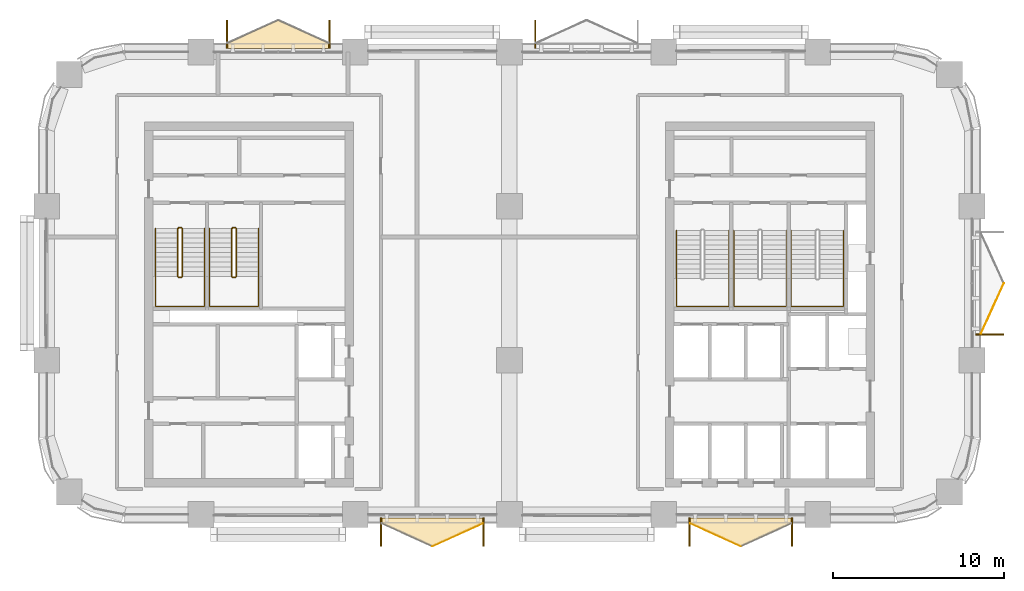
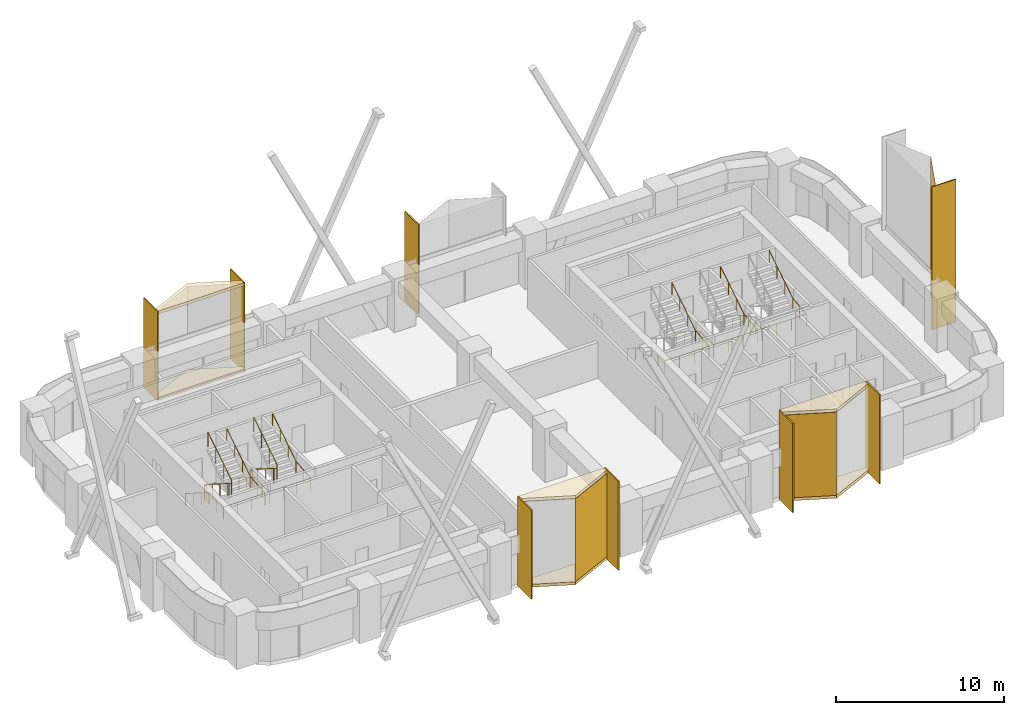
# One storey, part 13 of 14: 17 coverings, 7 railings.
"""IFC4 building model written with IfcOpenShell, lengths in metres."""

from ifc_helpers import new_model, si_unit, direction, frame, origin, origin_2d, place, context, subcontext, project, spatial, polyline, rectangle, circle, outline, extrude, material, layer, layer_set, type_object, element, save


model = new_model("IFC4")

# Units and contexts
model_context = context("Model", 3, precision=1e-05, world=origin(), true_north=direction((0.0, 1.0)))
body_context = subcontext(model_context, "Body", "Model", "MODEL_VIEW")
ifc_project = project(units=[si_unit("LENGTHUNIT", "METRE"), si_unit("AREAUNIT", "SQUARE_METRE"), si_unit("VOLUMEUNIT", "CUBIC_METRE"), si_unit("PLANEANGLEUNIT", "RADIAN"), si_unit("MASSUNIT", "GRAM", prefix="KILO")], contexts=[model_context])

# Site, building, storey
site_placement = place(None, origin())
site = spatial("IfcSite", under=ifc_project, at=site_placement, CompositionType="ELEMENT")
building_placement = place(site_placement, origin())
building = spatial("IfcBuilding", under=site, at=building_placement, Name="Tessera Arch", CompositionType="ELEMENT")
storey_placement = place(building_placement, frame((0.0, 0.0, 181.699951171875)))
storey = spatial("IfcBuildingStorey", under=building, at=storey_placement, Name="L43", CompositionType="ELEMENT", Elevation=181.699951171875)

# Railings
ifc_material_1 = material(Name="Painted steel balustrade", Category="steel")
railing_type_1 = type_object("IfcRailingType", Name="Stair guard 1100", PredefinedType="GUARDRAIL", material=ifc_material_1)
railing_1_placement = place(storey_placement, frame((7.699951171875, 43.75, 0.0)))
element("IfcRailing", 1, at=railing_1_placement, inside=storey, type_object=railing_type_1, Name="L43 S2a stair guard 1", PredefinedType="GUARDRAIL", context=body_context, shape_type="SweptSolid", body=[
    extrude(circle(Radius=0.02392578125, at=origin_2d()), frame((-0.00390625, 0.0, 1.076171875), z_axis=(1.0, 0.0, 0.0), x_axis=(0.0, 1.0, 0.0)), (0.0, 0.0, 1.0), 0.158203125),
    extrude(circle(Radius=0.02392578125, at=origin_2d()), frame((0.153076171875, 0.000732421875, 1.073486328125), z_axis=(-0.735936453418, -0.183984113355, 0.651573006319), x_axis=(0.242535625036, -0.970142500145, 0.0)), (0.0, 0.0, 1.0), 0.280029296875),
    extrude(circle(Radius=0.02392578125, at=origin_2d()), frame((-0.050048828125, -0.046630859375, 1.251220703125), z_axis=(0.0, -0.844908973607, 0.534910110503), x_axis=(1.0, 0.0, 0.0)), (0.0, 0.0, 1.0), 3.322021484375),
    extrude(circle(Radius=0.02392578125, at=origin_2d()), frame((-0.052978515625, -2.84716796875, 3.02587890625), z_axis=(0.708833529934, -0.705375805398, 0.0), x_axis=(0.705375805398, 0.708833529934, 0.0)), (0.0, 0.0, 1.0), 0.07861328125),
    extrude(circle(Radius=0.02392578125, at=origin_2d()), frame((-0.00390625, -2.89990234375, 3.02587890625), z_axis=(1.0, 0.0, 0.0), x_axis=(0.0, 1.0, 0.0)), (0.0, 0.0, 1.0), 0.158203125),
    extrude(circle(Radius=0.02392578125, at=origin_2d()), frame((0.149169921875, -2.90087890625, 3.022216796875), z_axis=(0.26081902908, 0.26081902908, 0.92948742226), x_axis=(-0.707106781187, 0.707106781187, 0.0)), (0.0, 0.0, 1.0), 0.198974609375),
    extrude(circle(Radius=0.02392578125, at=origin_2d()), frame((0.199951171875, -2.853515625, 3.201416015625), z_axis=(0.0, 0.844908973607, 0.534910110503), x_axis=(-1.0, 0.0, 0.0)), (0.0, 0.0, 1.0), 3.322021484375),
    extrude(circle(Radius=0.02099609375, at=origin_2d()), origin(), (0.0, 0.0, 1.0), 1.06396484375),
    extrude(circle(Radius=0.02099609375, at=origin_2d()), frame((0.150146484375, 0.0, 0.0)), (0.0, 0.0, 1.0), 1.06396484375),
    extrude(circle(Radius=0.02099609375, at=origin_2d()), frame((-0.050048828125, -0.050048828125, 0.17724609375)), (0.0, 0.0, 1.0), 1.06396484375),
    extrude(circle(Radius=0.02099609375, at=origin_2d()), frame((-0.050048828125, -0.9833984375, 0.76806640625)), (0.0, 0.0, 1.0), 1.06396484375),
    extrude(circle(Radius=0.02099609375, at=origin_2d()), frame((-0.050048828125, -1.916748046875, 1.359130859375)), (0.0, 0.0, 1.0), 1.06396484375),
    extrude(circle(Radius=0.02099609375, at=origin_2d()), frame((-0.050048828125, -2.85009765625, 1.949951171875)), (0.0, 0.0, 1.0), 1.06396484375),
    extrude(circle(Radius=0.02099609375, at=origin_2d()), frame((0.0, -2.89990234375, 1.949951171875)), (0.0, 0.0, 1.0), 1.06396484375),
    extrude(circle(Radius=0.02099609375, at=origin_2d()), frame((0.150146484375, -2.89990234375, 1.949951171875)), (0.0, 0.0, 1.0), 1.06396484375),
    extrude(circle(Radius=0.02099609375, at=origin_2d()), frame((0.199951171875, -2.85009765625, 2.12744140625)), (0.0, 0.0, 1.0), 1.06396484375),
    extrude(circle(Radius=0.02099609375, at=origin_2d()), frame((0.199951171875, -1.916748046875, 2.71826171875)), (0.0, 0.0, 1.0), 1.06396484375),
    extrude(circle(Radius=0.02099609375, at=origin_2d()), frame((0.199951171875, -0.9833984375, 3.309326171875)), (0.0, 0.0, 1.0), 1.06396484375),
    extrude(circle(Radius=0.02099609375, at=origin_2d()), frame((0.199951171875, -0.050048828125, 3.900146484375)), (0.0, 0.0, 1.0), 1.06396484375),
])
railing_2_placement = place(storey_placement, frame((10.85009765625, 43.75, 0.0)))
element("IfcRailing", 2, at=railing_2_placement, inside=storey, type_object=railing_type_1, Name="L43 S2b stair guard 1", PredefinedType="GUARDRAIL", context=body_context, shape_type="SweptSolid", body=[
    extrude(circle(Radius=0.02392578125, at=origin_2d()), frame((-0.00390625, 0.0, 1.076171875), z_axis=(1.0, 0.0, 0.0), x_axis=(0.0, 1.0, 0.0)), (0.0, 0.0, 1.0), 0.157958984375),
    extrude(circle(Radius=0.02392578125, at=origin_2d()), frame((0.15283203125, 0.000732421875, 1.073486328125), z_axis=(-0.735524641326, -0.184105679453, 0.652003528208), x_axis=(0.242814311512, -0.970072785993, 0.0)), (0.0, 0.0, 1.0), 0.27978515625),
    extrude(circle(Radius=0.02392578125, at=origin_2d()), frame((-0.050048828125, -0.046630859375, 1.251220703125), z_axis=(0.0, -0.844908973607, 0.534910110503), x_axis=(1.0, 0.0, 0.0)), (0.0, 0.0, 1.0), 3.322021484375),
    extrude(circle(Radius=0.02392578125, at=origin_2d()), frame((-0.052978515625, -2.84716796875, 3.02587890625), z_axis=(0.708833529934, -0.705375805398, 0.0), x_axis=(0.705375805398, 0.708833529934, 0.0)), (0.0, 0.0, 1.0), 0.07861328125),
    extrude(circle(Radius=0.02392578125, at=origin_2d()), frame((-0.00390625, -2.89990234375, 3.02587890625), z_axis=(1.0, 0.0, 0.0), x_axis=(0.0, 1.0, 0.0)), (0.0, 0.0, 1.0), 0.157958984375),
    extrude(circle(Radius=0.02392578125, at=origin_2d()), frame((0.14892578125, -2.90087890625, 3.022216796875), z_axis=(0.262009983441, 0.260731885961, 0.929176868105), x_axis=(-0.705375805398, 0.708833529934, 0.0)), (0.0, 0.0, 1.0), 0.198974609375),
    extrude(circle(Radius=0.02392578125, at=origin_2d()), frame((0.199951171875, -2.853515625, 3.201416015625), z_axis=(0.0, 0.844908973607, 0.534910110503), x_axis=(-1.0, 0.0, 0.0)), (0.0, 0.0, 1.0), 3.322021484375),
    extrude(circle(Radius=0.02099609375, at=origin_2d()), origin(), (0.0, 0.0, 1.0), 1.06396484375),
    extrude(circle(Radius=0.02099609375, at=origin_2d()), frame((0.14990234375, 0.0, 0.0)), (0.0, 0.0, 1.0), 1.06396484375),
    extrude(circle(Radius=0.02099609375, at=origin_2d()), frame((-0.050048828125, -0.050048828125, 0.17724609375)), (0.0, 0.0, 1.0), 1.06396484375),
    extrude(circle(Radius=0.02099609375, at=origin_2d()), frame((-0.050048828125, -0.9833984375, 0.76806640625)), (0.0, 0.0, 1.0), 1.06396484375),
    extrude(circle(Radius=0.02099609375, at=origin_2d()), frame((-0.050048828125, -1.916748046875, 1.359130859375)), (0.0, 0.0, 1.0), 1.06396484375),
    extrude(circle(Radius=0.02099609375, at=origin_2d()), frame((-0.050048828125, -2.85009765625, 1.949951171875)), (0.0, 0.0, 1.0), 1.06396484375),
    extrude(circle(Radius=0.02099609375, at=origin_2d()), frame((0.0, -2.89990234375, 1.949951171875)), (0.0, 0.0, 1.0), 1.06396484375),
    extrude(circle(Radius=0.02099609375, at=origin_2d()), frame((0.14990234375, -2.89990234375, 1.949951171875)), (0.0, 0.0, 1.0), 1.06396484375),
    extrude(circle(Radius=0.02099609375, at=origin_2d()), frame((0.199951171875, -2.85009765625, 2.12744140625)), (0.0, 0.0, 1.0), 1.06396484375),
    extrude(circle(Radius=0.02099609375, at=origin_2d()), frame((0.199951171875, -1.916748046875, 2.71826171875)), (0.0, 0.0, 1.0), 1.06396484375),
    extrude(circle(Radius=0.02099609375, at=origin_2d()), frame((0.199951171875, -0.9833984375, 3.309326171875)), (0.0, 0.0, 1.0), 1.06396484375),
    extrude(circle(Radius=0.02099609375, at=origin_2d()), frame((0.199951171875, -0.050048828125, 3.900146484375)), (0.0, 0.0, 1.0), 1.06396484375),
])
ifc_material_2 = material(Name="Painted steel handrail", Category="steel")
railing_type_2 = type_object("IfcRailingType", Name="Stair handrail 900", PredefinedType="HANDRAIL", material=ifc_material_2)
railing_3_placement = place(storey_placement, frame((36.75, 43.580078125, 0.17724609375)))
element("IfcRailing", 3, at=railing_3_placement, inside=storey, type_object=railing_type_2, Name="L43 S1a stair handrail", PredefinedType="HANDRAIL", context=body_context, shape_type="SweptSolid", body=[
    extrude(circle(Radius=0.02392578125, at=origin_2d()), frame((0.0, 0.00341796875, 0.873779296875), z_axis=(0.0, -0.844908973607, 0.534910110503), x_axis=(1.0, 0.0, 0.0)), (0.0, 0.0, 1.0), 3.322021484375),
    extrude(circle(Radius=0.02392578125, at=origin_2d()), frame((0.0, -2.796142578125, 2.6484375), z_axis=(0.0, -1.0, 0.0), x_axis=(1.0, 0.0, 0.0)), (0.0, 0.0, 1.0), 1.63818359375),
    extrude(circle(Radius=0.02392578125, at=origin_2d()), frame((-0.00390625, -4.43017578125, 2.6484375), z_axis=(1.0, 0.0, 0.0), x_axis=(0.0, 1.0, 0.0)), (0.0, 0.0, 1.0), 3.05810546875),
    extrude(circle(Radius=0.02392578125, at=origin_2d()), frame((3.050048828125, -4.43408203125, 2.648193359375), z_axis=(0.0, 0.994124627078, 0.108241516233), x_axis=(-1.0, 0.0, 0.0)), (0.0, 0.0, 1.0), 1.647705078125),
    extrude(circle(Radius=0.02392578125, at=origin_2d()), frame((3.050048828125, -2.803466796875, 2.823974609375), z_axis=(0.0, 0.844908973607, 0.534910110503), x_axis=(-1.0, 0.0, 0.0)), (0.0, 0.0, 1.0), 3.322021484375),
    extrude(circle(Radius=0.02099609375, at=origin_2d()), origin(), (0.0, 0.0, 1.0), 0.86376953125),
    extrude(circle(Radius=0.02099609375, at=origin_2d()), frame((0.0, -0.933349609375, 0.5908203125)), (0.0, 0.0, 1.0), 0.86376953125),
    extrude(circle(Radius=0.02099609375, at=origin_2d()), frame((0.0, -1.86669921875, 1.181884765625)), (0.0, 0.0, 1.0), 0.86376953125),
    extrude(circle(Radius=0.02099609375, at=origin_2d()), frame((0.0, -2.800048828125, 1.772705078125)), (0.0, 0.0, 1.0), 0.86376953125),
    extrude(circle(Radius=0.02099609375, at=origin_2d()), frame((0.0, -3.615234375, 1.772705078125)), (0.0, 0.0, 1.0), 0.86376953125),
    extrude(circle(Radius=0.02099609375, at=origin_2d()), frame((0.0, -4.43017578125, 1.772705078125)), (0.0, 0.0, 1.0), 0.86376953125),
    extrude(circle(Radius=0.02099609375, at=origin_2d()), frame((1.0166015625, -4.43017578125, 1.772705078125)), (0.0, 0.0, 1.0), 0.86376953125),
    extrude(circle(Radius=0.02099609375, at=origin_2d()), frame((2.033447265625, -4.43017578125, 1.772705078125)), (0.0, 0.0, 1.0), 0.86376953125),
    extrude(circle(Radius=0.02099609375, at=origin_2d()), frame((3.050048828125, -4.43017578125, 1.772705078125)), (0.0, 0.0, 1.0), 0.86376953125),
    extrude(circle(Radius=0.02099609375, at=origin_2d()), frame((3.050048828125, -3.615234375, 1.861328125)), (0.0, 0.0, 1.0), 0.86376953125),
    extrude(circle(Radius=0.02099609375, at=origin_2d()), frame((3.050048828125, -2.800048828125, 1.9501953125)), (0.0, 0.0, 1.0), 0.86376953125),
    extrude(circle(Radius=0.02099609375, at=origin_2d()), frame((3.050048828125, -1.86669921875, 2.541015625)), (0.0, 0.0, 1.0), 0.86376953125),
    extrude(circle(Radius=0.02099609375, at=origin_2d()), frame((3.050048828125, -0.933349609375, 3.132080078125)), (0.0, 0.0, 1.0), 0.86376953125),
    extrude(circle(Radius=0.02099609375, at=origin_2d()), frame((3.050048828125, 0.0, 3.722900390625)), (0.0, 0.0, 1.0), 0.86376953125),
])
railing_4_placement = place(storey_placement, frame((40.10009765625, 43.580078125, 0.17724609375)))
element("IfcRailing", 4, at=railing_4_placement, inside=storey, type_object=railing_type_2, Name="L43 S1b stair handrail", PredefinedType="HANDRAIL", context=body_context, shape_type="SweptSolid", body=[
    extrude(circle(Radius=0.02392578125, at=origin_2d()), frame((0.0, 0.00341796875, 0.873779296875), z_axis=(0.0, -0.844908973607, 0.534910110503), x_axis=(1.0, 0.0, 0.0)), (0.0, 0.0, 1.0), 3.322021484375),
    extrude(circle(Radius=0.02392578125, at=origin_2d()), frame((0.0, -2.796142578125, 2.6484375), z_axis=(0.0, -1.0, 0.0), x_axis=(1.0, 0.0, 0.0)), (0.0, 0.0, 1.0), 1.63818359375),
    extrude(circle(Radius=0.02392578125, at=origin_2d()), frame((-0.00390625, -4.43017578125, 2.6484375), z_axis=(1.0, 0.0, 0.0), x_axis=(0.0, 1.0, 0.0)), (0.0, 0.0, 1.0), 3.057861328125),
    extrude(circle(Radius=0.02392578125, at=origin_2d()), frame((3.0498046875, -4.43408203125, 2.648193359375), z_axis=(0.0, 0.994124627078, 0.108241516233), x_axis=(-1.0, 0.0, 0.0)), (0.0, 0.0, 1.0), 1.647705078125),
    extrude(circle(Radius=0.02392578125, at=origin_2d()), frame((3.0498046875, -2.803466796875, 2.823974609375), z_axis=(0.0, 0.844908973607, 0.534910110503), x_axis=(-1.0, 0.0, 0.0)), (0.0, 0.0, 1.0), 3.322021484375),
    extrude(circle(Radius=0.02099609375, at=origin_2d()), origin(), (0.0, 0.0, 1.0), 0.86376953125),
    extrude(circle(Radius=0.02099609375, at=origin_2d()), frame((0.0, -0.933349609375, 0.5908203125)), (0.0, 0.0, 1.0), 0.86376953125),
    extrude(circle(Radius=0.02099609375, at=origin_2d()), frame((0.0, -1.86669921875, 1.181884765625)), (0.0, 0.0, 1.0), 0.86376953125),
    extrude(circle(Radius=0.02099609375, at=origin_2d()), frame((0.0, -2.800048828125, 1.772705078125)), (0.0, 0.0, 1.0), 0.86376953125),
    extrude(circle(Radius=0.02099609375, at=origin_2d()), frame((0.0, -3.615234375, 1.772705078125)), (0.0, 0.0, 1.0), 0.86376953125),
    extrude(circle(Radius=0.02099609375, at=origin_2d()), frame((0.0, -4.43017578125, 1.772705078125)), (0.0, 0.0, 1.0), 0.86376953125),
    extrude(circle(Radius=0.02099609375, at=origin_2d()), frame((1.0166015625, -4.43017578125, 1.772705078125)), (0.0, 0.0, 1.0), 0.86376953125),
    extrude(circle(Radius=0.02099609375, at=origin_2d()), frame((2.033203125, -4.43017578125, 1.772705078125)), (0.0, 0.0, 1.0), 0.86376953125),
    extrude(circle(Radius=0.02099609375, at=origin_2d()), frame((3.0498046875, -4.43017578125, 1.772705078125)), (0.0, 0.0, 1.0), 0.86376953125),
    extrude(circle(Radius=0.02099609375, at=origin_2d()), frame((3.0498046875, -3.615234375, 1.861328125)), (0.0, 0.0, 1.0), 0.86376953125),
    extrude(circle(Radius=0.02099609375, at=origin_2d()), frame((3.0498046875, -2.800048828125, 1.9501953125)), (0.0, 0.0, 1.0), 0.86376953125),
    extrude(circle(Radius=0.02099609375, at=origin_2d()), frame((3.0498046875, -1.86669921875, 2.541015625)), (0.0, 0.0, 1.0), 0.86376953125),
    extrude(circle(Radius=0.02099609375, at=origin_2d()), frame((3.0498046875, -0.933349609375, 3.132080078125)), (0.0, 0.0, 1.0), 0.86376953125),
    extrude(circle(Radius=0.02099609375, at=origin_2d()), frame((3.0498046875, 0.0, 3.722900390625)), (0.0, 0.0, 1.0), 0.86376953125),
])
railing_5_placement = place(storey_placement, frame((43.449951171875, 43.580078125, 0.17724609375)))
element("IfcRailing", 5, at=railing_5_placement, inside=storey, type_object=railing_type_2, Name="L43 S1c stair handrail", PredefinedType="HANDRAIL", context=body_context, shape_type="SweptSolid", body=[
    extrude(circle(Radius=0.02392578125, at=origin_2d()), frame((0.0, 0.00341796875, 0.873779296875), z_axis=(0.0, -0.844908973607, 0.534910110503), x_axis=(1.0, 0.0, 0.0)), (0.0, 0.0, 1.0), 3.322021484375),
    extrude(circle(Radius=0.02392578125, at=origin_2d()), frame((0.0, -2.796142578125, 2.6484375), z_axis=(0.0, -1.0, 0.0), x_axis=(1.0, 0.0, 0.0)), (0.0, 0.0, 1.0), 1.63818359375),
    extrude(circle(Radius=0.02392578125, at=origin_2d()), frame((-0.00390625, -4.43017578125, 2.6484375), z_axis=(1.0, 0.0, 0.0), x_axis=(0.0, 1.0, 0.0)), (0.0, 0.0, 1.0), 3.05810546875),
    extrude(circle(Radius=0.02392578125, at=origin_2d()), frame((3.050048828125, -4.43408203125, 2.648193359375), z_axis=(0.0, 0.994124627078, 0.108241516233), x_axis=(-1.0, 0.0, 0.0)), (0.0, 0.0, 1.0), 1.647705078125),
    extrude(circle(Radius=0.02392578125, at=origin_2d()), frame((3.050048828125, -2.803466796875, 2.823974609375), z_axis=(0.0, 0.844908973607, 0.534910110503), x_axis=(-1.0, 0.0, 0.0)), (0.0, 0.0, 1.0), 3.322021484375),
    extrude(circle(Radius=0.02099609375, at=origin_2d()), origin(), (0.0, 0.0, 1.0), 0.86376953125),
    extrude(circle(Radius=0.02099609375, at=origin_2d()), frame((0.0, -0.933349609375, 0.5908203125)), (0.0, 0.0, 1.0), 0.86376953125),
    extrude(circle(Radius=0.02099609375, at=origin_2d()), frame((0.0, -1.86669921875, 1.181884765625)), (0.0, 0.0, 1.0), 0.86376953125),
    extrude(circle(Radius=0.02099609375, at=origin_2d()), frame((0.0, -2.800048828125, 1.772705078125)), (0.0, 0.0, 1.0), 0.86376953125),
    extrude(circle(Radius=0.02099609375, at=origin_2d()), frame((0.0, -3.615234375, 1.772705078125)), (0.0, 0.0, 1.0), 0.86376953125),
    extrude(circle(Radius=0.02099609375, at=origin_2d()), frame((0.0, -4.43017578125, 1.772705078125)), (0.0, 0.0, 1.0), 0.86376953125),
    extrude(circle(Radius=0.02099609375, at=origin_2d()), frame((1.0166015625, -4.43017578125, 1.772705078125)), (0.0, 0.0, 1.0), 0.86376953125),
    extrude(circle(Radius=0.02099609375, at=origin_2d()), frame((2.033447265625, -4.43017578125, 1.772705078125)), (0.0, 0.0, 1.0), 0.86376953125),
    extrude(circle(Radius=0.02099609375, at=origin_2d()), frame((3.050048828125, -4.43017578125, 1.772705078125)), (0.0, 0.0, 1.0), 0.86376953125),
    extrude(circle(Radius=0.02099609375, at=origin_2d()), frame((3.050048828125, -3.615234375, 1.861328125)), (0.0, 0.0, 1.0), 0.86376953125),
    extrude(circle(Radius=0.02099609375, at=origin_2d()), frame((3.050048828125, -2.800048828125, 1.9501953125)), (0.0, 0.0, 1.0), 0.86376953125),
    extrude(circle(Radius=0.02099609375, at=origin_2d()), frame((3.050048828125, -1.86669921875, 2.541015625)), (0.0, 0.0, 1.0), 0.86376953125),
    extrude(circle(Radius=0.02099609375, at=origin_2d()), frame((3.050048828125, -0.933349609375, 3.132080078125)), (0.0, 0.0, 1.0), 0.86376953125),
    extrude(circle(Radius=0.02099609375, at=origin_2d()), frame((3.050048828125, 0.0, 3.722900390625)), (0.0, 0.0, 1.0), 0.86376953125),
])
railing_6_placement = place(storey_placement, frame((6.35009765625, 43.699951171875, 0.17724609375)))
element("IfcRailing", 6, at=railing_6_placement, inside=storey, type_object=railing_type_2, Name="L43 S2a stair handrail", PredefinedType="HANDRAIL", context=body_context, shape_type="SweptSolid", body=[
    extrude(circle(Radius=0.02392578125, at=origin_2d()), frame((0.0, 0.00341796875, 0.873779296875), z_axis=(0.0, -0.844908973607, 0.534910110503), x_axis=(1.0, 0.0, 0.0)), (0.0, 0.0, 1.0), 3.322021484375),
    extrude(circle(Radius=0.02392578125, at=origin_2d()), frame((0.0, -2.796142578125, 2.6484375), z_axis=(0.0, -1.0, 0.0), x_axis=(1.0, 0.0, 0.0)), (0.0, 0.0, 1.0), 1.758056640625),
    extrude(circle(Radius=0.02392578125, at=origin_2d()), frame((-0.00390625, -4.550048828125, 2.6484375), z_axis=(1.0, 0.0, 0.0), x_axis=(0.0, 1.0, 0.0)), (0.0, 0.0, 1.0), 2.85791015625),
    extrude(circle(Radius=0.02392578125, at=origin_2d()), frame((2.849853515625, -4.553955078125, 2.648193359375), z_axis=(0.0, 0.994896031807, 0.100905331351), x_axis=(-1.0, 0.0, 0.0)), (0.0, 0.0, 1.0), 1.76708984375),
    extrude(circle(Radius=0.02392578125, at=origin_2d()), frame((2.849853515625, -2.803466796875, 2.823974609375), z_axis=(0.0, 0.844908973607, 0.534910110503), x_axis=(-1.0, 0.0, 0.0)), (0.0, 0.0, 1.0), 3.322021484375),
    extrude(circle(Radius=0.02099609375, at=origin_2d()), origin(), (0.0, 0.0, 1.0), 0.86376953125),
    extrude(circle(Radius=0.02099609375, at=origin_2d()), frame((0.0, -0.933349609375, 0.5908203125)), (0.0, 0.0, 1.0), 0.86376953125),
    extrude(circle(Radius=0.02099609375, at=origin_2d()), frame((0.0, -1.86669921875, 1.181884765625)), (0.0, 0.0, 1.0), 0.86376953125),
    extrude(circle(Radius=0.02099609375, at=origin_2d()), frame((0.0, -2.800048828125, 1.772705078125)), (0.0, 0.0, 1.0), 0.86376953125),
    extrude(circle(Radius=0.02099609375, at=origin_2d()), frame((0.0, -3.675048828125, 1.772705078125)), (0.0, 0.0, 1.0), 0.86376953125),
    extrude(circle(Radius=0.02099609375, at=origin_2d()), frame((0.0, -4.550048828125, 1.772705078125)), (0.0, 0.0, 1.0), 0.86376953125),
    extrude(circle(Radius=0.02099609375, at=origin_2d()), frame((0.949951171875, -4.550048828125, 1.772705078125)), (0.0, 0.0, 1.0), 0.86376953125),
    extrude(circle(Radius=0.02099609375, at=origin_2d()), frame((1.89990234375, -4.550048828125, 1.772705078125)), (0.0, 0.0, 1.0), 0.86376953125),
    extrude(circle(Radius=0.02099609375, at=origin_2d()), frame((2.849853515625, -4.550048828125, 1.772705078125)), (0.0, 0.0, 1.0), 0.86376953125),
    extrude(circle(Radius=0.02099609375, at=origin_2d()), frame((2.849853515625, -3.675048828125, 1.861328125)), (0.0, 0.0, 1.0), 0.86376953125),
    extrude(circle(Radius=0.02099609375, at=origin_2d()), frame((2.849853515625, -2.800048828125, 1.9501953125)), (0.0, 0.0, 1.0), 0.86376953125),
    extrude(circle(Radius=0.02099609375, at=origin_2d()), frame((2.849853515625, -1.86669921875, 2.541015625)), (0.0, 0.0, 1.0), 0.86376953125),
    extrude(circle(Radius=0.02099609375, at=origin_2d()), frame((2.849853515625, -0.933349609375, 3.132080078125)), (0.0, 0.0, 1.0), 0.86376953125),
    extrude(circle(Radius=0.02099609375, at=origin_2d()), frame((2.849853515625, 0.0, 3.722900390625)), (0.0, 0.0, 1.0), 0.86376953125),
])
railing_7_placement = place(storey_placement, frame((9.5, 43.699951171875, 0.17724609375)))
element("IfcRailing", 7, at=railing_7_placement, inside=storey, type_object=railing_type_2, Name="L43 S2b stair handrail", PredefinedType="HANDRAIL", context=body_context, shape_type="SweptSolid", body=[
    extrude(circle(Radius=0.02392578125, at=origin_2d()), frame((0.0, 0.00341796875, 0.873779296875), z_axis=(0.0, -0.844908973607, 0.534910110503), x_axis=(1.0, 0.0, 0.0)), (0.0, 0.0, 1.0), 3.322021484375),
    extrude(circle(Radius=0.02392578125, at=origin_2d()), frame((0.0, -2.796142578125, 2.6484375), z_axis=(0.0, -1.0, 0.0), x_axis=(1.0, 0.0, 0.0)), (0.0, 0.0, 1.0), 1.758056640625),
    extrude(circle(Radius=0.02392578125, at=origin_2d()), frame((-0.00390625, -4.550048828125, 2.6484375), z_axis=(1.0, 0.0, 0.0), x_axis=(0.0, 1.0, 0.0)), (0.0, 0.0, 1.0), 2.858154296875),
    extrude(circle(Radius=0.02392578125, at=origin_2d()), frame((2.85009765625, -4.553955078125, 2.648193359375), z_axis=(0.0, 0.994896031807, 0.100905331351), x_axis=(-1.0, 0.0, 0.0)), (0.0, 0.0, 1.0), 1.76708984375),
    extrude(circle(Radius=0.02392578125, at=origin_2d()), frame((2.85009765625, -2.803466796875, 2.823974609375), z_axis=(0.0, 0.844908973607, 0.534910110503), x_axis=(-1.0, 0.0, 0.0)), (0.0, 0.0, 1.0), 3.322021484375),
    extrude(circle(Radius=0.02099609375, at=origin_2d()), origin(), (0.0, 0.0, 1.0), 0.86376953125),
    extrude(circle(Radius=0.02099609375, at=origin_2d()), frame((0.0, -0.933349609375, 0.5908203125)), (0.0, 0.0, 1.0), 0.86376953125),
    extrude(circle(Radius=0.02099609375, at=origin_2d()), frame((0.0, -1.86669921875, 1.181884765625)), (0.0, 0.0, 1.0), 0.86376953125),
    extrude(circle(Radius=0.02099609375, at=origin_2d()), frame((0.0, -2.800048828125, 1.772705078125)), (0.0, 0.0, 1.0), 0.86376953125),
    extrude(circle(Radius=0.02099609375, at=origin_2d()), frame((0.0, -3.675048828125, 1.772705078125)), (0.0, 0.0, 1.0), 0.86376953125),
    extrude(circle(Radius=0.02099609375, at=origin_2d()), frame((0.0, -4.550048828125, 1.772705078125)), (0.0, 0.0, 1.0), 0.86376953125),
    extrude(circle(Radius=0.02099609375, at=origin_2d()), frame((0.949951171875, -4.550048828125, 1.772705078125)), (0.0, 0.0, 1.0), 0.86376953125),
    extrude(circle(Radius=0.02099609375, at=origin_2d()), frame((1.900146484375, -4.550048828125, 1.772705078125)), (0.0, 0.0, 1.0), 0.86376953125),
    extrude(circle(Radius=0.02099609375, at=origin_2d()), frame((2.85009765625, -4.550048828125, 1.772705078125)), (0.0, 0.0, 1.0), 0.86376953125),
    extrude(circle(Radius=0.02099609375, at=origin_2d()), frame((2.85009765625, -3.675048828125, 1.861328125)), (0.0, 0.0, 1.0), 0.86376953125),
    extrude(circle(Radius=0.02099609375, at=origin_2d()), frame((2.85009765625, -2.800048828125, 1.9501953125)), (0.0, 0.0, 1.0), 0.86376953125),
    extrude(circle(Radius=0.02099609375, at=origin_2d()), frame((2.85009765625, -1.86669921875, 2.541015625)), (0.0, 0.0, 1.0), 0.86376953125),
    extrude(circle(Radius=0.02099609375, at=origin_2d()), frame((2.85009765625, -0.933349609375, 3.132080078125)), (0.0, 0.0, 1.0), 0.86376953125),
    extrude(circle(Radius=0.02099609375, at=origin_2d()), frame((2.85009765625, 0.0, 3.722900390625)), (0.0, 0.0, 1.0), 0.86376953125),
])

# Coverings
ifc_material_3 = material(Name="Anodised aluminium pale metal", Category="aluminium")
ifc_layer_1 = layer(ifc_material_3, 0.080078125)
ifc_layer_set_1 = layer_set([ifc_layer_1], Name="Window box cheek")
covering_type_1 = type_object("IfcCoveringType", Name="Window box cheek", PredefinedType="CLADDING", material=ifc_layer_set_1)
covering_1_placement = place(storey_placement, origin())
element("IfcCovering", 8, at=covering_1_placement, inside=storey, type_object=covering_type_1, Name="Window box N54.0/4.0 2x2 cheek", PredefinedType="CLADDING", context=body_context, shape_type="SweptSolid", body=[
    extrude(outline(polyline([(16.530029296875, 55.85009765625), (16.449951171875, 55.85009765625), (16.449951171875, 54.199951171875), (16.530029296875, 54.199951171875), (16.530029296875, 55.85009765625)])), origin(), (0.0, 0.0, 1.0), 6.5),
])
covering_2_placement = place(storey_placement, origin())
element("IfcCovering", 9, at=covering_2_placement, inside=storey, type_object=covering_type_1, Name="Window box N54.0/4.0 2x2 cheek", PredefinedType="CLADDING", context=body_context, shape_type="SweptSolid", body=[
    extrude(outline(polyline([(10.550048828125, 55.85009765625), (10.469970703125, 55.85009765625), (10.469970703125, 54.199951171875), (10.550048828125, 54.199951171875), (10.550048828125, 55.85009765625)])), origin(), (0.0, 0.0, 1.0), 6.5),
])
covering_3_placement = place(storey_placement, origin())
element("IfcCovering", 10, at=covering_3_placement, inside=storey, type_object=covering_type_1, Name="Window box N54.0/2.0 2x2 cheek", PredefinedType="CLADDING", context=body_context, shape_type="SweptSolid", body=[
    extrude(outline(polyline([(28.550048828125, 55.85009765625), (28.469970703125, 55.85009765625), (28.469970703125, 54.199951171875), (28.550048828125, 54.199951171875), (28.550048828125, 55.85009765625)])), origin(), (0.0, 0.0, 1.0), 6.5),
])
covering_4_placement = place(storey_placement, origin())
element("IfcCovering", 11, at=covering_4_placement, inside=storey, type_object=covering_type_1, Name="Window box S27.0/4.0 2x2 cheek", PredefinedType="CLADDING", context=body_context, shape_type="SweptSolid", body=[
    extrude(outline(polyline([(37.469970703125, 25.14990234375), (37.550048828125, 25.14990234375), (37.550048828125, 26.800048828125), (37.469970703125, 26.800048828125), (37.469970703125, 25.14990234375)])), origin(), (0.0, 0.0, 1.0), 6.5),
])
covering_5_placement = place(storey_placement, origin())
element("IfcCovering", 12, at=covering_5_placement, inside=storey, type_object=covering_type_1, Name="Window box S27.0/4.0 2x2 cheek", PredefinedType="CLADDING", context=body_context, shape_type="SweptSolid", body=[
    extrude(outline(polyline([(43.449951171875, 25.14990234375), (43.530029296875, 25.14990234375), (43.530029296875, 26.800048828125), (43.449951171875, 26.800048828125), (43.449951171875, 25.14990234375)])), origin(), (0.0, 0.0, 1.0), 6.5),
])
covering_6_placement = place(storey_placement, origin())
element("IfcCovering", 13, at=covering_6_placement, inside=storey, type_object=covering_type_1, Name="Window box E54.27/0.0 2x3 cheek", PredefinedType="CLADDING", context=body_context, shape_type="SweptSolid", body=[
    extrude(outline(polyline([(55.85009765625, 37.469970703125), (55.85009765625, 37.550048828125), (54.199951171875, 37.550048828125), (54.199951171875, 37.469970703125), (55.85009765625, 37.469970703125)])), origin(), (0.0, 0.0, 1.0), 10.400146484375),
])
covering_7_placement = place(storey_placement, origin())
element("IfcCovering", 14, at=covering_7_placement, inside=storey, type_object=covering_type_1, Name="Window box S27.0/2.0 2x2 cheek", PredefinedType="CLADDING", context=body_context, shape_type="SweptSolid", body=[
    extrude(outline(polyline([(19.469970703125, 25.14990234375), (19.550048828125, 25.14990234375), (19.550048828125, 26.800048828125), (19.469970703125, 26.800048828125), (19.469970703125, 25.14990234375)])), origin(), (0.0, 0.0, 1.0), 6.5),
])
covering_8_placement = place(storey_placement, origin())
element("IfcCovering", 15, at=covering_8_placement, inside=storey, type_object=covering_type_1, Name="Window box S27.0/2.0 2x2 cheek", PredefinedType="CLADDING", context=body_context, shape_type="SweptSolid", body=[
    extrude(outline(polyline([(25.449951171875, 25.14990234375), (25.530029296875, 25.14990234375), (25.530029296875, 26.800048828125), (25.449951171875, 26.800048828125), (25.449951171875, 25.14990234375)])), origin(), (0.0, 0.0, 1.0), 6.5),
])
ifc_material_4 = material(Name="Anodised aluminium gold", Category="aluminium")
ifc_layer_2 = layer(ifc_material_4, 0.219970703125)
ifc_layer_set_2 = layer_set([ifc_layer_2], Name="Window box frame plate gold")
covering_type_2 = type_object("IfcCoveringType", Name="Window box frame plate gold", PredefinedType="CLADDING", material=ifc_layer_set_2)
for number, where, name in (
    (16, (0.0, 0.0, 0.0), "Window box S27.0/2.0 2x2 floor"),
    (17, (0.0, 0.0, 6.280029296875), "Window box S27.0/2.0 2x2 roof"),
):
    element("IfcCovering", number, at=place(storey_placement, frame(where)), inside=storey, type_object=covering_type_2, Name=name, PredefinedType="CLADDING", context=body_context, shape_type="SweptSolid", body=[
        extrude(outline(polyline([(19.550048828125, 26.489990234375), (22.5, 25.14990234375), (25.449951171875, 26.489990234375), (25.449951171875, 26.800048828125), (19.550048828125, 26.800048828125), (19.550048828125, 26.489990234375)])), origin(), (0.0, 0.0, 1.0), 0.219970703125),
    ])
ifc_material_5 = material(Name="Anodised aluminium pale metal", Category="aluminium")
ifc_layer_3 = layer(ifc_material_5, 0.219970703125)
ifc_layer_set_3 = layer_set([ifc_layer_3], Name="Window box frame plate pale metal")
covering_type_3 = type_object("IfcCoveringType", Name="Window box frame plate pale metal", PredefinedType="CLADDING", material=ifc_layer_set_3)
for number, where, name in (
    (18, (0.0, 0.0, 0.0), "Window box N54.0/4.0 2x2 floor"),
    (19, (0.0, 0.0, 6.280029296875), "Window box N54.0/4.0 2x2 roof"),
):
    element("IfcCovering", number, at=place(storey_placement, frame(where)), inside=storey, type_object=covering_type_3, Name=name, PredefinedType="CLADDING", context=body_context, shape_type="SweptSolid", body=[
        extrude(outline(polyline([(16.449951171875, 54.510009765625), (13.5, 55.85009765625), (10.550048828125, 54.510009765625), (10.550048828125, 54.199951171875), (16.449951171875, 54.199951171875), (16.449951171875, 54.510009765625)])), origin(), (0.0, 0.0, 1.0), 0.219970703125),
    ])
for number, where, name in (
    (20, (0.0, 0.0, 0.0), "Window box S27.0/4.0 2x2 floor"),
    (21, (0.0, 0.0, 6.280029296875), "Window box S27.0/4.0 2x2 roof"),
):
    element("IfcCovering", number, at=place(storey_placement, frame(where)), inside=storey, type_object=covering_type_3, Name=name, PredefinedType="CLADDING", context=body_context, shape_type="SweptSolid", body=[
        extrude(outline(polyline([(37.550048828125, 26.489990234375), (40.5, 25.14990234375), (43.449951171875, 26.489990234375), (43.449951171875, 26.800048828125), (37.550048828125, 26.800048828125), (37.550048828125, 26.489990234375)])), origin(), (0.0, 0.0, 1.0), 0.219970703125),
    ])
ifc_material_6 = material(Name="Anodised aluminium pale metal", Category="aluminium")
ifc_layer_4 = layer(ifc_material_6, 0.028076171875)
ifc_layer_set_4 = layer_set([ifc_layer_4], Name="Window box side panel")
covering_type_4 = type_object("IfcCoveringType", Name="Window box side panel", PredefinedType="CLADDING", material=ifc_layer_set_4)
covering_9_placement = place(storey_placement, frame((39.02490234375, 25.820068359375, 0.219970703125), z_axis=(0.0, 0.0, 1.0), x_axis=(0.910472144558, -0.413570397858, 0.0)))
element("IfcCovering", 22, at=covering_9_placement, inside=storey, type_object=covering_type_4, Name="Window box S27.0/4.0 2x2 side panel", PredefinedType="CLADDING", context=body_context, shape_type="SweptSolid", body=[
    extrude(rectangle(XDim=3.239990234375, YDim=0.028076171875, at=origin_2d()), origin(), (0.0, 0.0, 1.0), 6.06005859375),
])
covering_10_placement = place(storey_placement, frame((55.179931640625, 39.02490234375, 0.219970703125), z_axis=(0.0, 0.0, 1.0), x_axis=(0.413570397858, 0.910472144558, 0.0)))
element("IfcCovering", 23, at=covering_10_placement, inside=storey, type_object=covering_type_4, Name="Window box E54.27/0.0 2x3 side panel", PredefinedType="CLADDING", context=body_context, shape_type="SweptSolid", body=[
    extrude(rectangle(XDim=3.239990234375, YDim=0.028076171875, at=origin_2d()), origin(), (0.0, 0.0, 1.0), 9.9599609375),
])
covering_11_placement = place(storey_placement, frame((23.97509765625, 25.820068359375, 0.219970703125), z_axis=(0.0, 0.0, 1.0), x_axis=(-0.910472144558, -0.413570397858, 0.0)))
element("IfcCovering", 24, at=covering_11_placement, inside=storey, type_object=covering_type_4, Name="Window box S27.0/2.0 2x2 side panel", PredefinedType="CLADDING", context=body_context, shape_type="SweptSolid", body=[
    extrude(rectangle(XDim=3.239990234375, YDim=0.028076171875, at=origin_2d()), origin(), (0.0, 0.0, 1.0), 6.06005859375),
])

save(model, "model.ifc")
